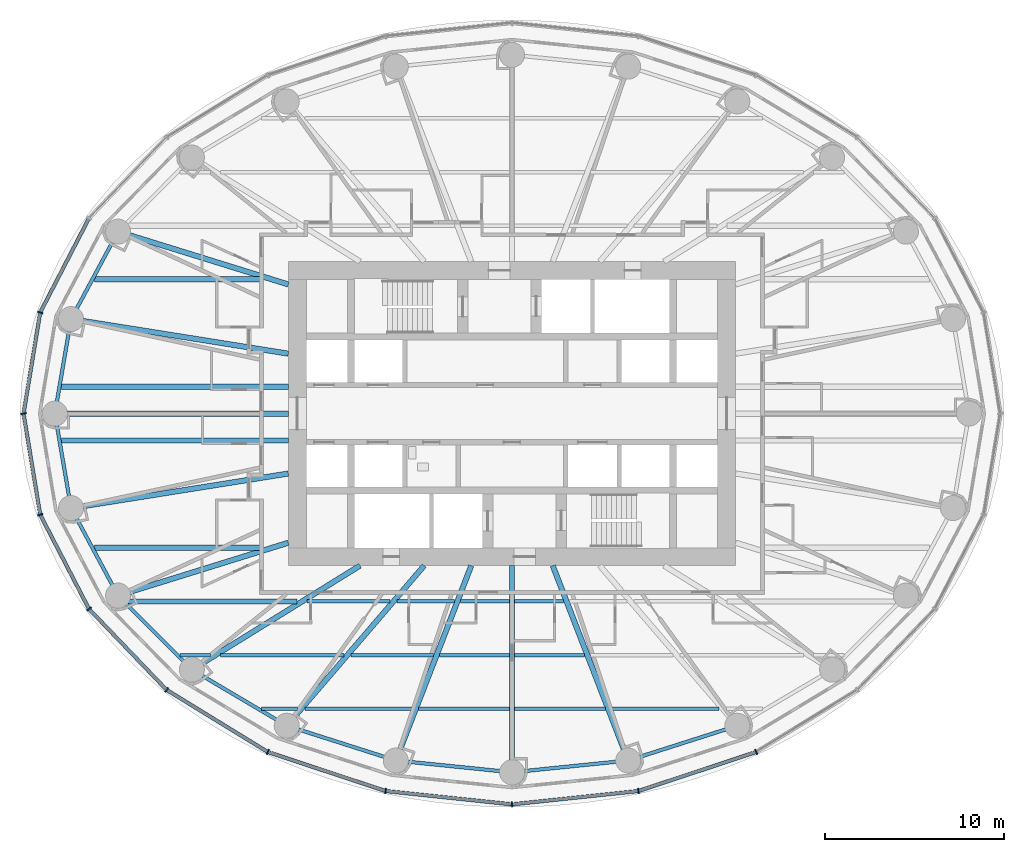
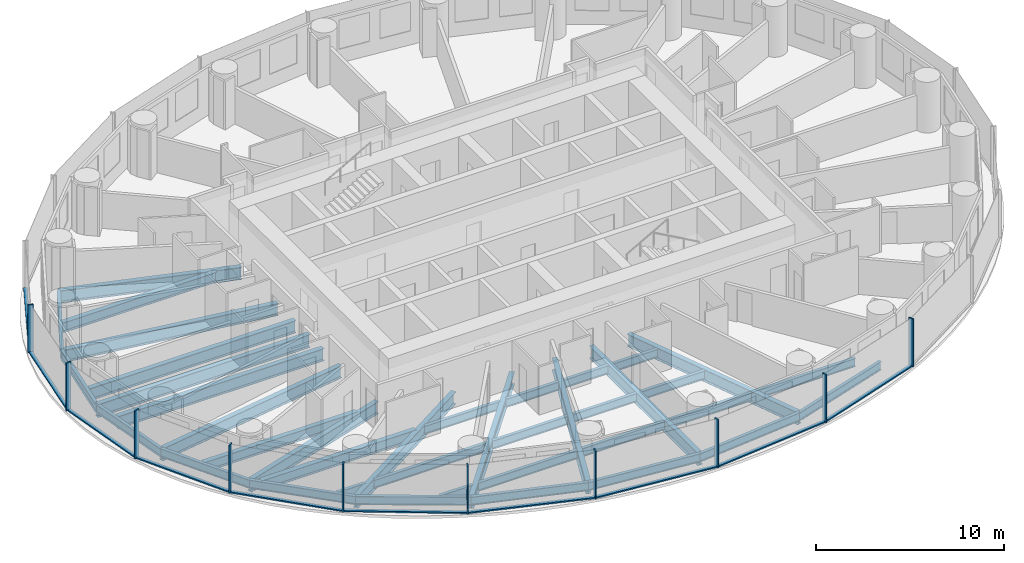
# One storey, part 2 of 16: 39 beams, 20 members, 3 elements without a shape of their own.
"""IFC4 building model written with IfcOpenShell, lengths in metres."""

from ifc_helpers import new_model, si_unit, direction, frame, origin, origin_2d, place, context, subcontext, project, spatial, rectangle, i_section, extrude, material, material_profile, profile_set, type_object, element, aggregate, save


model = new_model("IFC4")

# Units and contexts
model_context = context("Model", 3, precision=1e-05, world=origin(), true_north=direction((0.0, 1.0)))
body_context = subcontext(model_context, "Body", "Model", "MODEL_VIEW")
ifc_project = project(units=[si_unit("LENGTHUNIT", "METRE"), si_unit("AREAUNIT", "SQUARE_METRE"), si_unit("VOLUMEUNIT", "CUBIC_METRE"), si_unit("PLANEANGLEUNIT", "RADIAN"), si_unit("MASSUNIT", "GRAM", prefix="KILO")], contexts=[model_context])

# Site, building, storey
site_placement = place(None, origin())
site = spatial("IfcSite", under=ifc_project, at=site_placement, CompositionType="ELEMENT")
building_placement = place(site_placement, origin())
building = spatial("IfcBuilding", under=site, at=building_placement, Name="Hankou Lantern Tower", CompositionType="ELEMENT")
storey_placement = place(building_placement, frame((0.0, 0.0, 70.5)))
storey = spatial("IfcBuildingStorey", under=building, at=storey_placement, Name="L17", CompositionType="ELEMENT", Elevation=70.5)

# Beams
ifc_material_1 = material(Name="Steel Q355B", Category="steel")
ifc_material_profile_1 = material_profile(ifc_material_1, i_section(OverallWidth=0.199951171875, OverallDepth=0.550048828125, WebThickness=0.010009765625, FlangeThickness=0.01611328125, FilletRadius=0.012939453125, at=origin_2d()), Name="HN550x200x10x16")
ifc_profile_set_1 = profile_set([ifc_material_profile_1], Name="Steel Q355B")
beam_type_1 = type_object("IfcBeamType", Name="EB6 RING BEAM HN550x200x10x16", PredefinedType="SPANDREL", material=ifc_profile_set_1)
beam_1_placement = place(storey_placement, frame((-22.01904296875, 10.170166015625, -0.455078125), z_axis=(-0.473609096023, -0.880735161194, 0.0), x_axis=(0.880735161194, -0.473609096023, 0.0)))
element("IfcBeam", 1, at=beam_1_placement, inside=storey, type_object=beam_type_1, Name="Ring beam R11-R12 L17", PredefinedType="SPANDREL", context=body_context, shape_type="SweptSolid", body=[
    extrude(i_section(OverallWidth=0.199951171875, OverallDepth=0.550048828125, WebThickness=0.010009765625, FlangeThickness=0.01611328125, FilletRadius=0.012939453125, at=origin_2d()), origin(), (0.0, 0.0, 1.0), 5.548828125),
])
for number, where, z_axis, x_axis, name in (
    (2, (-24.64697265625, 5.283203125, -0.455078125), (-0.168489691988, -0.985703415685, 0.0), (0.985703415685, -0.168489691988, 0.0), "Ring beam R12-R13 L17"),
    (3, (-25.550048828125, 0.0, -0.455078125), (0.168489691988, -0.985703415685, 0.0), (0.985703415685, 0.168489691988, 0.0), "Ring beam R13-R14 L17"),
):
    element("IfcBeam", number, at=place(storey_placement, frame(where, z_axis=z_axis, x_axis=x_axis)), inside=storey, type_object=beam_type_1, Name=name, PredefinedType="SPANDREL", context=body_context, shape_type="SweptSolid", body=[
        extrude(i_section(OverallWidth=0.199951171875, OverallDepth=0.550048828125, WebThickness=0.010009765625, FlangeThickness=0.01611328125, FilletRadius=0.012939453125, at=origin_2d()), origin(), (0.0, 0.0, 1.0), 5.35986328125),
    ])
beam_2_placement = place(storey_placement, frame((-24.64697265625, -5.283203125, -0.455078125), z_axis=(0.473609096023, -0.880735161194, 0.0), x_axis=(0.880735161194, 0.473609096023, 0.0)))
element("IfcBeam", 4, at=beam_2_placement, inside=storey, type_object=beam_type_1, Name="Ring beam R14-R15 L17", PredefinedType="SPANDREL", context=body_context, shape_type="SweptSolid", body=[
    extrude(i_section(OverallWidth=0.199951171875, OverallDepth=0.550048828125, WebThickness=0.010009765625, FlangeThickness=0.01611328125, FilletRadius=0.012939453125, at=origin_2d()), origin(), (0.0, 0.0, 1.0), 5.548828125),
])
beam_3_placement = place(storey_placement, frame((-22.01904296875, -10.170166015625, -0.455078125), z_axis=(0.705727798394, -0.708483079949, 0.0), x_axis=(0.708483079949, 0.705727798394, 0.0)))
element("IfcBeam", 5, at=beam_3_placement, inside=storey, type_object=beam_type_1, Name="Ring beam R15-R16 L17", PredefinedType="SPANDREL", context=body_context, shape_type="SweptSolid", body=[
    extrude(i_section(OverallWidth=0.199951171875, OverallDepth=0.550048828125, WebThickness=0.010009765625, FlangeThickness=0.01611328125, FilletRadius=0.012939453125, at=origin_2d()), origin(), (0.0, 0.0, 1.0), 5.84814453125),
])
beam_4_placement = place(storey_placement, frame((-17.891845703125, -14.3134765625, -0.455078125), z_axis=(0.860881533543, -0.508805449268, 0.0), x_axis=(0.508805449268, 0.860881533543, 0.0)))
element("IfcBeam", 6, at=beam_4_placement, inside=storey, type_object=beam_type_1, Name="Ring beam R16-R17 L17", PredefinedType="SPANDREL", context=body_context, shape_type="SweptSolid", body=[
    extrude(i_section(OverallWidth=0.199951171875, OverallDepth=0.550048828125, WebThickness=0.010009765625, FlangeThickness=0.01611328125, FilletRadius=0.012939453125, at=origin_2d()), origin(), (0.0, 0.0, 1.0), 6.15771484375),
])
beam_5_placement = place(storey_placement, frame((-12.5908203125, -17.446533203125, -0.455078125), z_axis=(0.952690479428, -0.303942182671, 0.0), x_axis=(0.303942182671, 0.952690479428, 0.0)))
element("IfcBeam", 7, at=beam_5_placement, inside=storey, type_object=beam_type_1, Name="Ring beam R17-R18 L17", PredefinedType="SPANDREL", context=body_context, shape_type="SweptSolid", body=[
    extrude(i_section(OverallWidth=0.199951171875, OverallDepth=0.550048828125, WebThickness=0.010009765625, FlangeThickness=0.01611328125, FilletRadius=0.012939453125, at=origin_2d()), origin(), (0.0, 0.0, 1.0), 6.398681640625),
])
for number, where, z_axis, x_axis, name in (
    (8, (-6.494873046875, -19.391357421875, -0.455078125), (0.994896616842, -0.100899562915, 0.0), (0.100899562915, 0.994896616842, 0.0), "Ring beam R18-R19 L17"),
    (9, (0.0, -20.050048828125, -0.455078125), (0.994896616842, 0.100899562915, 0.0), (-0.100899562915, 0.994896616842, 0.0), "Ring beam R19-R20 L17"),
):
    element("IfcBeam", number, at=place(storey_placement, frame(where, z_axis=z_axis, x_axis=x_axis)), inside=storey, type_object=beam_type_1, Name=name, PredefinedType="SPANDREL", context=body_context, shape_type="SweptSolid", body=[
        extrude(i_section(OverallWidth=0.199951171875, OverallDepth=0.550048828125, WebThickness=0.010009765625, FlangeThickness=0.01611328125, FilletRadius=0.012939453125, at=origin_2d()), origin(), (0.0, 0.0, 1.0), 6.528076171875),
    ])
beam_6_placement = place(storey_placement, frame((6.494873046875, -19.391357421875, -0.455078125), z_axis=(0.952690479428, 0.303942182671, 0.0), x_axis=(-0.303942182671, 0.952690479428, 0.0)))
element("IfcBeam", 10, at=beam_6_placement, inside=storey, type_object=beam_type_1, Name="Ring beam R20-R21 L17", PredefinedType="SPANDREL", context=body_context, shape_type="SweptSolid", body=[
    extrude(i_section(OverallWidth=0.199951171875, OverallDepth=0.550048828125, WebThickness=0.010009765625, FlangeThickness=0.01611328125, FilletRadius=0.012939453125, at=origin_2d()), origin(), (0.0, 0.0, 1.0), 6.398681640625),
])

# Curtain wall, member
ifc_material_2 = material(Name="Glass, dark grey tinted laminated", Category="glass")
curtain_wall_type = type_object("IfcCurtainWallType", Name="CWA OUTER SKIN LOW-RISE", PredefinedType="USERDEFINED", material=ifc_material_2)
curtain_wall_1_placement = place(storey_placement, origin())
curtain_wall_1 = element("IfcCurtainWall", 11, at=curtain_wall_1_placement, inside=storey, type_object=curtain_wall_type, Name="CWA L17 OS2", ObjectType="OUTER SKIN LOW-RISE", PredefinedType="USERDEFINED")
ifc_material_3 = material(Name="Aluminium, black anodised", Category="aluminium")
ifc_material_profile_2 = material_profile(ifc_material_3, rectangle(XDim=0.080078125, YDim=0.300048828125, at=origin_2d()), Name="MU1 80X300")
ifc_profile_set_2 = profile_set([ifc_material_profile_2], Name="Aluminium, black anodised")
member_type_1 = type_object("IfcMemberType", Name="MU1 OUTER SKIN MULLION 80X300", PredefinedType="MULLION", material=ifc_profile_set_2)
member_1_placement = place(storey_placement, frame((-26.369873046875, 5.652587890625, 0.0), z_axis=(0.0, 0.0, 1.0), x_axis=(-0.317595577365, -0.94822626479, 0.0)))
member_1 = element("IfcMember", 12, at=member_1_placement, type_object=member_type_1, Name="CWA mullion 6", PredefinedType="MULLION", context=body_context, shape_type="SweptSolid", body=[
    extrude(rectangle(XDim=0.080078125, YDim=0.300048828125, at=origin_2d()), origin(), (0.0, 0.0, 1.0), 3.1201171875),
])

# Curtain wall, members
curtain_wall_2_placement = place(storey_placement, origin())
curtain_wall_2 = element("IfcCurtainWall", 13, at=curtain_wall_2_placement, inside=storey, type_object=curtain_wall_type, Name="CWA L17 OS3", ObjectType="OUTER SKIN LOW-RISE", PredefinedType="USERDEFINED")
member_2_placement = place(storey_placement, frame((-27.300048828125, 0.0, 0.0), z_axis=(0.0, 0.0, 1.0), x_axis=(0.162381515188, -0.986728049427, 0.0)))
member_2 = element("IfcMember", 14, at=member_2_placement, type_object=member_type_1, Name="CWA mullion 1", PredefinedType="MULLION", context=body_context, shape_type="SweptSolid", body=[
    extrude(rectangle(XDim=0.080078125, YDim=0.300048828125, at=origin_2d()), origin(), (0.0, 0.0, 1.0), 3.1201171875),
])
member_3_placement = place(storey_placement, frame((-26.369873046875, -5.652587890625, 0.0), z_axis=(0.0, 0.0, 1.0), x_axis=(0.317595577365, -0.94822626479, 0.0)))
member_3 = element("IfcMember", 15, at=member_3_placement, type_object=member_type_1, Name="CWA mullion 2", PredefinedType="MULLION", context=body_context, shape_type="SweptSolid", body=[
    extrude(rectangle(XDim=0.080078125, YDim=0.300048828125, at=origin_2d()), origin(), (0.0, 0.0, 1.0), 3.1201171875),
])
member_4_placement = place(storey_placement, frame((-23.642578125, -10.919921875, 0.0), z_axis=(0.0, 0.0, 1.0), x_axis=(0.585205735974, -0.810884854084, 0.0)))
member_4 = element("IfcMember", 16, at=member_4_placement, type_object=member_type_1, Name="CWA mullion 3", PredefinedType="MULLION", context=body_context, shape_type="SweptSolid", body=[
    extrude(rectangle(XDim=0.080078125, YDim=0.300048828125, at=origin_2d()), origin(), (0.0, 0.0, 1.0), 3.1201171875),
])
member_5_placement = place(storey_placement, frame((-19.303955078125, -15.443115234375, 0.0), z_axis=(0.0, 0.0, 1.0), x_axis=(0.780868809444, -0.624695047553, 0.0)))
member_5 = element("IfcMember", 17, at=member_5_placement, type_object=member_type_1, Name="CWA mullion 4", PredefinedType="MULLION", context=body_context, shape_type="SweptSolid", body=[
    extrude(rectangle(XDim=0.080078125, YDim=0.300048828125, at=origin_2d()), origin(), (0.0, 0.0, 1.0), 3.1201171875),
])
member_6_placement = place(storey_placement, frame((-13.64990234375, -18.9140625, 0.0), z_axis=(0.0, 0.0, 1.0), x_axis=(0.907841299004, -0.419313934686, 0.0)))
member_6 = element("IfcMember", 18, at=member_6_placement, type_object=member_type_1, Name="CWA mullion 5", PredefinedType="MULLION", context=body_context, shape_type="SweptSolid", body=[
    extrude(rectangle(XDim=0.080078125, YDim=0.300048828125, at=origin_2d()), origin(), (0.0, 0.0, 1.0), 3.1201171875),
])
member_7_placement = place(storey_placement, frame((-7.065673828125, -21.095703125, 0.0), z_axis=(0.0, 0.0, 1.0), x_axis=(0.977787659625, -0.209597931016, 0.0)))
member_7 = element("IfcMember", 19, at=member_7_placement, type_object=member_type_1, Name="CWA mullion 6", PredefinedType="MULLION", context=body_context, shape_type="SweptSolid", body=[
    extrude(rectangle(XDim=0.080078125, YDim=0.300048828125, at=origin_2d()), origin(), (0.0, 0.0, 1.0), 3.1201171875),
])

curtain_wall_3_placement = place(storey_placement, origin())
curtain_wall_3 = element("IfcCurtainWall", 20, at=curtain_wall_3_placement, inside=storey, type_object=curtain_wall_type, Name="CWA L17 OS4", ObjectType="OUTER SKIN LOW-RISE", PredefinedType="USERDEFINED")
member_8_placement = place(storey_placement, frame((0.0, -21.840087890625, 0.0), z_axis=(0.0, 0.0, 1.0), x_axis=(0.994499359107, 0.104742659579, 0.0)))
member_8 = element("IfcMember", 21, at=member_8_placement, type_object=member_type_1, Name="CWA mullion 1", PredefinedType="MULLION", context=body_context, shape_type="SweptSolid", body=[
    extrude(rectangle(XDim=0.080078125, YDim=0.300048828125, at=origin_2d()), origin(), (0.0, 0.0, 1.0), 3.1201171875),
])
member_9_placement = place(storey_placement, frame((7.065673828125, -21.095703125, 0.0), z_axis=(0.0, 0.0, 1.0), x_axis=(0.977787659625, 0.209597931016, 0.0)))
member_9 = element("IfcMember", 22, at=member_9_placement, type_object=member_type_1, Name="CWA mullion 2", PredefinedType="MULLION", context=body_context, shape_type="SweptSolid", body=[
    extrude(rectangle(XDim=0.080078125, YDim=0.300048828125, at=origin_2d()), origin(), (0.0, 0.0, 1.0), 3.1201171875),
])
member_10_placement = place(storey_placement, frame((13.64990234375, -18.9140625, 0.0), z_axis=(0.0, 0.0, 1.0), x_axis=(0.907841299004, 0.419313934686, 0.0)))
member_10 = element("IfcMember", 23, at=member_10_placement, type_object=member_type_1, Name="CWA mullion 3", PredefinedType="MULLION", context=body_context, shape_type="SweptSolid", body=[
    extrude(rectangle(XDim=0.080078125, YDim=0.300048828125, at=origin_2d()), origin(), (0.0, 0.0, 1.0), 3.1201171875),
])

# Beams
ifc_material_4 = material(Name="Steel Q355B", Category="steel")
ifc_material_profile_3 = material_profile(ifc_material_4, i_section(OverallWidth=0.300048828125, OverallDepth=0.800048828125, WebThickness=0.013916015625, FlangeThickness=0.02587890625, FilletRadius=0.01806640625, at=origin_2d()), Name="HN800x300x14x26")
ifc_profile_set_3 = profile_set([ifc_material_profile_3], Name="Steel Q355B")
beam_type_2 = type_object("IfcBeamType", Name="RB11 RADIAL BEAM HN800x300x14x26", PredefinedType="BEAM", material=ifc_profile_set_3)
beam_7_placement = place(storey_placement, frame((-12.5, 7.216796875, -0.580078125), z_axis=(-0.955087327755, 0.29632447817, 0.0), x_axis=(-0.29632447817, -0.955087327755, 0.0)))
element("IfcBeam", 24, at=beam_7_placement, inside=storey, type_object=beam_type_2, Name="Radial beam R11 L17", PredefinedType="BEAM", context=body_context, shape_type="SweptSolid", body=[
    extrude(i_section(OverallWidth=0.300048828125, OverallDepth=0.800048828125, WebThickness=0.013916015625, FlangeThickness=0.02587890625, FilletRadius=0.01806640625, at=origin_2d()), origin(), (0.0, 0.0, 1.0), 9.966552734375),
])
for number, where, z_axis, x_axis, name in (
    (25, (-12.5, 3.349365234375, -0.580078125), (-0.987563081343, 0.157223281893, 0.0), (-0.157223281893, -0.987563081343, 0.0), "Radial beam R12 L17"),
    (26, (-12.5, -3.349365234375, -0.580078125), (-0.987563081343, -0.157223281893, 0.0), (0.157223281893, -0.987563081343, 0.0), "Radial beam R14 L17"),
):
    element("IfcBeam", number, at=place(storey_placement, frame(where, z_axis=z_axis, x_axis=x_axis)), inside=storey, type_object=beam_type_2, Name=name, PredefinedType="BEAM", context=body_context, shape_type="SweptSolid", body=[
        extrude(i_section(OverallWidth=0.300048828125, OverallDepth=0.800048828125, WebThickness=0.013916015625, FlangeThickness=0.02587890625, FilletRadius=0.01806640625, at=origin_2d()), origin(), (0.0, 0.0, 1.0), 12.300048828125),
    ])
beam_8_placement = place(storey_placement, frame((-12.5, -7.216796875, -0.580078125), z_axis=(-0.955087327755, -0.29632447817, 0.0), x_axis=(0.29632447817, -0.955087327755, 0.0)))
element("IfcBeam", 27, at=beam_8_placement, inside=storey, type_object=beam_type_2, Name="Radial beam R15 L17", PredefinedType="BEAM", context=body_context, shape_type="SweptSolid", body=[
    extrude(i_section(OverallWidth=0.300048828125, OverallDepth=0.800048828125, WebThickness=0.013916015625, FlangeThickness=0.02587890625, FilletRadius=0.01806640625, at=origin_2d()), origin(), (0.0, 0.0, 1.0), 9.966552734375),
])
beam_9_placement = place(storey_placement, frame((-8.5, -8.5, -0.580078125), z_axis=(-0.850286343288, -0.526320372414, 0.0), x_axis=(0.526320372414, -0.850286343288, 0.0)))
element("IfcBeam", 28, at=beam_9_placement, inside=storey, type_object=beam_type_2, Name="Radial beam R16 L17", PredefinedType="BEAM", context=body_context, shape_type="SweptSolid", body=[
    extrude(i_section(OverallWidth=0.300048828125, OverallDepth=0.800048828125, WebThickness=0.013916015625, FlangeThickness=0.02587890625, FilletRadius=0.01806640625, at=origin_2d()), origin(), (0.0, 0.0, 1.0), 11.04541015625),
])
beam_10_placement = place(storey_placement, frame((-4.907470703125, -8.5, -0.580078125), z_axis=(-0.651519061225, -0.758632264579, 0.0), x_axis=(0.758632264579, -0.651519061225, 0.0)))
element("IfcBeam", 29, at=beam_10_placement, inside=storey, type_object=beam_type_2, Name="Radial beam R17 L17", PredefinedType="BEAM", context=body_context, shape_type="SweptSolid", body=[
    extrude(i_section(OverallWidth=0.300048828125, OverallDepth=0.800048828125, WebThickness=0.013916015625, FlangeThickness=0.02587890625, FilletRadius=0.01806640625, at=origin_2d()), origin(), (0.0, 0.0, 1.0), 11.79296875),
])
beam_11_placement = place(storey_placement, frame((-2.277587890625, -8.5, -0.580078125), z_axis=(-0.361089103374, -0.932531318201, 0.0), x_axis=(0.932531318201, -0.361089103374, 0.0)))
element("IfcBeam", 30, at=beam_11_placement, inside=storey, type_object=beam_type_2, Name="Radial beam R18 L17", PredefinedType="BEAM", context=body_context, shape_type="SweptSolid", body=[
    extrude(i_section(OverallWidth=0.300048828125, OverallDepth=0.800048828125, WebThickness=0.013916015625, FlangeThickness=0.02587890625, FilletRadius=0.01806640625, at=origin_2d()), origin(), (0.0, 0.0, 1.0), 11.679443359375),
])
beam_12_placement = place(storey_placement, frame((0.0, -8.5, -0.580078125), z_axis=(0.0, -1.0, 0.0), x_axis=(1.0, 0.0, 0.0)))
element("IfcBeam", 31, at=beam_12_placement, inside=storey, type_object=beam_type_2, Name="Radial beam R19 L17", PredefinedType="BEAM", context=body_context, shape_type="SweptSolid", body=[
    extrude(i_section(OverallWidth=0.300048828125, OverallDepth=0.800048828125, WebThickness=0.013916015625, FlangeThickness=0.02587890625, FilletRadius=0.01806640625, at=origin_2d()), origin(), (0.0, 0.0, 1.0), 11.550048828125),
])
beam_13_placement = place(storey_placement, frame((2.277587890625, -8.5, -0.580078125), z_axis=(0.361089103374, -0.932531318201, 0.0), x_axis=(0.932531318201, 0.361089103374, 0.0)))
element("IfcBeam", 32, at=beam_13_placement, inside=storey, type_object=beam_type_2, Name="Radial beam R20 L17", PredefinedType="BEAM", context=body_context, shape_type="SweptSolid", body=[
    extrude(i_section(OverallWidth=0.300048828125, OverallDepth=0.800048828125, WebThickness=0.013916015625, FlangeThickness=0.02587890625, FilletRadius=0.01806640625, at=origin_2d()), origin(), (0.0, 0.0, 1.0), 11.679443359375),
])
ifc_material_5 = material(Name="Steel Q355B", Category="steel")
ifc_material_profile_4 = material_profile(ifc_material_5, i_section(OverallWidth=0.300048828125, OverallDepth=0.85009765625, WebThickness=0.01611328125, FlangeThickness=0.027099609375, FilletRadius=0.01806640625, at=origin_2d()), Name="HN850x300x16x27")
ifc_profile_set_4 = profile_set([ifc_material_profile_4], Name="Steel Q355B")
beam_type_3 = type_object("IfcBeamType", Name="RB12 RADIAL BEAM HN850x300x16x27", PredefinedType="BEAM", material=ifc_profile_set_4)
beam_14_placement = place(storey_placement, frame((-12.5, 0.0, -0.60498046875), z_axis=(-1.0, 0.0, 0.0), x_axis=(0.0, -1.0, 0.0)))
element("IfcBeam", 33, at=beam_14_placement, inside=storey, type_object=beam_type_3, Name="Radial beam R13 L17", PredefinedType="BEAM", context=body_context, shape_type="SweptSolid", body=[
    extrude(i_section(OverallWidth=0.300048828125, OverallDepth=0.85009765625, WebThickness=0.01611328125, FlangeThickness=0.027099609375, FilletRadius=0.01806640625, at=origin_2d()), origin(), (0.0, 0.0, 1.0), 13.050048828125),
])
ifc_material_6 = material(Name="Steel Q355B", Category="steel")
ifc_material_profile_5 = material_profile(ifc_material_6, i_section(OverallWidth=0.300048828125, OverallDepth=0.800048828125, WebThickness=0.013916015625, FlangeThickness=0.02587890625, FilletRadius=0.01806640625, at=origin_2d()), Name="HN800x300x14x26")
ifc_profile_set_5 = profile_set([ifc_material_profile_5], Name="Steel Q355B")
beam_type_4 = type_object("IfcBeamType", Name="SB11 SECONDARY BEAM HN800x300x14x26", PredefinedType="JOIST", material=ifc_profile_set_5)
for number, where, z_axis, x_axis, name in (
    (34, (-25.192138671875, -1.5, -0.580078125), (1.0, 0.0, 0.0), (0.0, 1.0, 0.0), "Floor joist J029 L17"),
    (35, (-25.192138671875, 1.5, -0.580078125), (1.0, 0.0, 0.0), (0.0, 1.0, 0.0), "Floor joist J031 L17"),
):
    element("IfcBeam", number, at=place(storey_placement, frame(where, z_axis=z_axis, x_axis=x_axis)), inside=storey, type_object=beam_type_4, Name=name, PredefinedType="JOIST", context=body_context, shape_type="SweptSolid", body=[
        extrude(i_section(OverallWidth=0.300048828125, OverallDepth=0.800048828125, WebThickness=0.013916015625, FlangeThickness=0.02587890625, FilletRadius=0.01806640625, at=origin_2d()), origin(), (0.0, 0.0, 1.0), 12.692138671875),
    ])
ifc_material_7 = material(Name="Steel Q355B", Category="steel")
ifc_material_profile_6 = material_profile(ifc_material_7, i_section(OverallWidth=0.199951171875, OverallDepth=0.550048828125, WebThickness=0.010009765625, FlangeThickness=0.01611328125, FilletRadius=0.012939453125, at=origin_2d()), Name="HN550x200x10x16")
ifc_profile_set_6 = profile_set([ifc_material_profile_6], Name="Steel Q355B")
beam_type_5 = type_object("IfcBeamType", Name="SB6 SECONDARY BEAM HN550x200x10x16", PredefinedType="JOIST", material=ifc_profile_set_6)
beam_15_placement = place(storey_placement, frame((-13.99560546875, -16.5, -0.455078125), z_axis=(1.0, 0.0, 0.0), x_axis=(0.0, 1.0, 0.0)))
element("IfcBeam", 36, at=beam_15_placement, inside=storey, type_object=beam_type_5, Name="Floor joist J001 L17", PredefinedType="JOIST", context=body_context, shape_type="SweptSolid", body=[
    extrude(i_section(OverallWidth=0.199951171875, OverallDepth=0.550048828125, WebThickness=0.010009765625, FlangeThickness=0.01611328125, FilletRadius=0.012939453125, at=origin_2d()), origin(), (0.0, 0.0, 1.0), 2.019775390625),
])
beam_16_placement = place(storey_placement, frame((-11.580322265625, -16.5, -0.455078125), z_axis=(1.0, 0.0, 0.0), x_axis=(0.0, 1.0, 0.0)))
element("IfcBeam", 37, at=beam_16_placement, inside=storey, type_object=beam_type_5, Name="Floor joist J002 L17", PredefinedType="JOIST", context=body_context, shape_type="SweptSolid", body=[
    extrude(i_section(OverallWidth=0.199951171875, OverallDepth=0.550048828125, WebThickness=0.010009765625, FlangeThickness=0.01611328125, FilletRadius=0.012939453125, at=origin_2d()), origin(), (0.0, 0.0, 1.0), 6.044189453125),
])
for number, where, z_axis, x_axis, name in (
    (38, (-5.21435546875, -16.5, -0.455078125), (1.0, 0.0, 0.0), (0.0, 1.0, 0.0), "Floor joist J003 L17"),
    (39, (0.14990234375, -16.5, -0.455078125), (1.0, 0.0, 0.0), (0.0, 1.0, 0.0), "Floor joist J004 L17"),
):
    element("IfcBeam", number, at=place(storey_placement, frame(where, z_axis=z_axis, x_axis=x_axis)), inside=storey, type_object=beam_type_5, Name=name, PredefinedType="JOIST", context=body_context, shape_type="SweptSolid", body=[
        extrude(i_section(OverallWidth=0.199951171875, OverallDepth=0.550048828125, WebThickness=0.010009765625, FlangeThickness=0.01611328125, FilletRadius=0.012939453125, at=origin_2d()), origin(), (0.0, 0.0, 1.0), 5.064453125),
    ])
beam_17_placement = place(storey_placement, frame((5.5361328125, -16.5, -0.455078125), z_axis=(1.0, 0.0, 0.0), x_axis=(0.0, 1.0, 0.0)))
element("IfcBeam", 40, at=beam_17_placement, inside=storey, type_object=beam_type_5, Name="Floor joist J005 L17", PredefinedType="JOIST", context=body_context, shape_type="SweptSolid", body=[
    extrude(i_section(OverallWidth=0.199951171875, OverallDepth=0.550048828125, WebThickness=0.010009765625, FlangeThickness=0.01611328125, FilletRadius=0.012939453125, at=origin_2d()), origin(), (0.0, 0.0, 1.0), 6.044189453125),
])
beam_18_placement = place(storey_placement, frame((-18.560791015625, -13.5, -0.455078125), z_axis=(1.0, 0.0, 0.0), x_axis=(0.0, 1.0, 0.0)))
element("IfcBeam", 41, at=beam_18_placement, inside=storey, type_object=beam_type_5, Name="Floor joist J007 L17", PredefinedType="JOIST", context=body_context, shape_type="SweptSolid", body=[
    extrude(i_section(OverallWidth=0.199951171875, OverallDepth=0.550048828125, WebThickness=0.010009765625, FlangeThickness=0.01611328125, FilletRadius=0.012939453125, at=origin_2d()), origin(), (0.0, 0.0, 1.0), 1.697998046875),
])
beam_19_placement = place(storey_placement, frame((-16.292724609375, -13.5, -0.455078125), z_axis=(1.0, 0.0, 0.0), x_axis=(0.0, 1.0, 0.0)))
element("IfcBeam", 42, at=beam_19_placement, inside=storey, type_object=beam_type_5, Name="Floor joist J008 L17", PredefinedType="JOIST", context=body_context, shape_type="SweptSolid", body=[
    extrude(i_section(OverallWidth=0.199951171875, OverallDepth=0.550048828125, WebThickness=0.010009765625, FlangeThickness=0.01611328125, FilletRadius=0.012939453125, at=origin_2d()), origin(), (0.0, 0.0, 1.0), 6.893310546875),
])
beam_20_placement = place(storey_placement, frame((-9.00390625, -13.5, -0.455078125), z_axis=(1.0, 0.0, 0.0), x_axis=(0.0, 1.0, 0.0)))
element("IfcBeam", 43, at=beam_20_placement, inside=storey, type_object=beam_type_5, Name="Floor joist J009 L17", PredefinedType="JOIST", context=body_context, shape_type="SweptSolid", body=[
    extrude(i_section(OverallWidth=0.199951171875, OverallDepth=0.550048828125, WebThickness=0.010009765625, FlangeThickness=0.01611328125, FilletRadius=0.012939453125, at=origin_2d()), origin(), (0.0, 0.0, 1.0), 4.62939453125),
])
for number, where, z_axis, x_axis, name in (
    (44, (-4.052734375, -13.5, -0.455078125), (1.0, 0.0, 0.0), (0.0, 1.0, 0.0), "Floor joist J010 L17"),
    (45, (0.14990234375, -13.5, -0.455078125), (1.0, 0.0, 0.0), (0.0, 1.0, 0.0), "Floor joist J011 L17"),
):
    element("IfcBeam", number, at=place(storey_placement, frame(where, z_axis=z_axis, x_axis=x_axis)), inside=storey, type_object=beam_type_5, Name=name, PredefinedType="JOIST", context=body_context, shape_type="SweptSolid", body=[
        extrude(i_section(OverallWidth=0.199951171875, OverallDepth=0.550048828125, WebThickness=0.010009765625, FlangeThickness=0.01611328125, FilletRadius=0.012939453125, at=origin_2d()), origin(), (0.0, 0.0, 1.0), 3.90283203125),
    ])
beam_21_placement = place(storey_placement, frame((-11.446044921875, -10.5, -0.455078125), z_axis=(1.0, 0.0, 0.0), x_axis=(0.0, 1.0, 0.0)))
element("IfcBeam", 46, at=beam_21_placement, inside=storey, type_object=beam_type_5, Name="Floor joist J016 L17", PredefinedType="JOIST", context=body_context, shape_type="SweptSolid", body=[
    extrude(i_section(OverallWidth=0.199951171875, OverallDepth=0.550048828125, WebThickness=0.010009765625, FlangeThickness=0.01611328125, FilletRadius=0.012939453125, at=origin_2d()), origin(), (0.0, 0.0, 1.0), 4.623291015625),
])
beam_22_placement = place(storey_placement, frame((-6.427490234375, -10.5, -0.455078125), z_axis=(1.0, 0.0, 0.0), x_axis=(0.0, 1.0, 0.0)))
element("IfcBeam", 47, at=beam_22_placement, inside=storey, type_object=beam_type_5, Name="Floor joist J017 L17", PredefinedType="JOIST", context=body_context, shape_type="SweptSolid", body=[
    extrude(i_section(OverallWidth=0.199951171875, OverallDepth=0.550048828125, WebThickness=0.010009765625, FlangeThickness=0.01611328125, FilletRadius=0.012939453125, at=origin_2d()), origin(), (0.0, 0.0, 1.0), 3.214599609375),
])
for number, where, z_axis, x_axis, name in (
    (48, (-2.89111328125, -10.5, -0.455078125), (1.0, 0.0, 0.0), (0.0, 1.0, 0.0), "Floor joist J018 L17"),
    (49, (0.14990234375, -10.5, -0.455078125), (1.0, 0.0, 0.0), (0.0, 1.0, 0.0), "Floor joist J019 L17"),
):
    element("IfcBeam", number, at=place(storey_placement, frame(where, z_axis=z_axis, x_axis=x_axis)), inside=storey, type_object=beam_type_5, Name=name, PredefinedType="JOIST", context=body_context, shape_type="SweptSolid", body=[
        extrude(i_section(OverallWidth=0.199951171875, OverallDepth=0.550048828125, WebThickness=0.010009765625, FlangeThickness=0.01611328125, FilletRadius=0.012939453125, at=origin_2d()), origin(), (0.0, 0.0, 1.0), 2.7412109375),
    ])
ifc_material_8 = material(Name="Steel Q355B", Category="steel")
ifc_material_profile_7 = material_profile(ifc_material_8, i_section(OverallWidth=0.300048828125, OverallDepth=0.64990234375, WebThickness=0.010986328125, FlangeThickness=0.01708984375, FilletRadius=0.01806640625, at=origin_2d()), Name="HN650x300x11x17")
ifc_profile_set_7 = profile_set([ifc_material_profile_7], Name="Steel Q355B")
beam_type_6 = type_object("IfcBeamType", Name="SB8 SECONDARY BEAM HN650x300x11x17", PredefinedType="JOIST", material=ifc_profile_set_7)
beam_23_placement = place(storey_placement, frame((-21.54931640625, -10.5, -0.5048828125), z_axis=(1.0, 0.0, 0.0), x_axis=(0.0, 1.0, 0.0)))
element("IfcBeam", 50, at=beam_23_placement, inside=storey, type_object=beam_type_6, Name="Floor joist J015 L17", PredefinedType="JOIST", context=body_context, shape_type="SweptSolid", body=[
    extrude(i_section(OverallWidth=0.300048828125, OverallDepth=0.64990234375, WebThickness=0.010986328125, FlangeThickness=0.01708984375, FilletRadius=0.01806640625, at=origin_2d()), origin(), (0.0, 0.0, 1.0), 9.533203125),
])
for number, where, z_axis, x_axis, name in (
    (51, (-23.341552734375, -7.5, -0.5048828125), (1.0, 0.0, 0.0), (0.0, 1.0, 0.0), "Floor joist J023 L17"),
    (52, (-23.341552734375, 7.5, -0.5048828125), (1.0, 0.0, 0.0), (0.0, 1.0, 0.0), "Floor joist J037 L17"),
):
    element("IfcBeam", number, at=place(storey_placement, frame(where, z_axis=z_axis, x_axis=x_axis)), inside=storey, type_object=beam_type_6, Name=name, PredefinedType="JOIST", context=body_context, shape_type="SweptSolid", body=[
        extrude(i_section(OverallWidth=0.300048828125, OverallDepth=0.64990234375, WebThickness=0.010986328125, FlangeThickness=0.01708984375, FilletRadius=0.01806640625, at=origin_2d()), origin(), (0.0, 0.0, 1.0), 9.4228515625),
    ])

# Member
ifc_material_9 = material(Name="Aluminium, black anodised", Category="aluminium")
ifc_material_profile_8 = material_profile(ifc_material_9, rectangle(XDim=0.199951171875, YDim=0.080078125, at=origin_2d()), Name="TR1 200X80")
ifc_profile_set_8 = profile_set([ifc_material_profile_8], Name="Aluminium, black anodised")
member_type_2 = type_object("IfcMemberType", Name="TR1 OUTER SKIN TRANSOM 200X80", PredefinedType="USERDEFINED", material=ifc_profile_set_8)
member_11_placement = place(storey_placement, frame((-23.660888671875, 10.884521484375, 0.0400390625), z_axis=(-0.459786096495, -0.888029698529, 0.0), x_axis=(0.888029698529, -0.459786096495, 0.0)))
member_11 = element("IfcMember", 53, at=member_11_placement, type_object=member_type_2, Name="CWA transom 5", ObjectType="TRANSOM", PredefinedType="USERDEFINED", context=body_context, shape_type="SweptSolid", body=[
    extrude(rectangle(XDim=0.199951171875, YDim=0.080078125, at=origin_2d()), origin(), (0.0, 0.0, 1.0), 5.8515625),
])

member_12_placement = place(storey_placement, frame((-26.376220703125, 5.613037109375, 0.0400390625), z_axis=(-0.162387045529, -0.986727139307, 0.0), x_axis=(0.986727139307, -0.162387045529, 0.0)))
member_12 = element("IfcMember", 54, at=member_12_placement, type_object=member_type_2, Name="CWA transom 6", ObjectType="TRANSOM", PredefinedType="USERDEFINED", context=body_context, shape_type="SweptSolid", body=[
    extrude(rectangle(XDim=0.199951171875, YDim=0.080078125, at=origin_2d()), origin(), (0.0, 0.0, 1.0), 5.6484375),
])

aggregate(curtain_wall_1, [member_1, member_11, member_12])

member_13_placement = place(storey_placement, frame((-27.29345703125, -0.03955078125, 0.0400390625), z_axis=(0.162387045529, -0.986727139307, 0.0), x_axis=(0.986727139307, 0.162387045529, 0.0)))
member_13 = element("IfcMember", 55, at=member_13_placement, type_object=member_type_2, Name="CWA transom 1", ObjectType="TRANSOM", PredefinedType="USERDEFINED", context=body_context, shape_type="SweptSolid", body=[
    extrude(rectangle(XDim=0.199951171875, YDim=0.080078125, at=origin_2d()), origin(), (0.0, 0.0, 1.0), 5.6484375),
])

member_14_placement = place(storey_placement, frame((-26.351318359375, -5.688232421875, 0.0400390625), z_axis=(0.459786096495, -0.888029698529, 0.0), x_axis=(0.888029698529, 0.459786096495, 0.0)))
member_14 = element("IfcMember", 56, at=member_14_placement, type_object=member_type_2, Name="CWA transom 2", ObjectType="TRANSOM", PredefinedType="USERDEFINED", context=body_context, shape_type="SweptSolid", body=[
    extrude(rectangle(XDim=0.199951171875, YDim=0.080078125, at=origin_2d()), origin(), (0.0, 0.0, 1.0), 5.8515625),
])

member_15_placement = place(storey_placement, frame((-23.61474609375, -10.948974609375, 0.0400390625), z_axis=(0.692215537374, -0.721690827029, 0.0), x_axis=(0.721690827029, 0.692215537374, 0.0)))
member_15 = element("IfcMember", 57, at=member_15_placement, type_object=member_type_2, Name="CWA transom 3", ObjectType="TRANSOM", PredefinedType="USERDEFINED", context=body_context, shape_type="SweptSolid", body=[
    extrude(rectangle(XDim=0.199951171875, YDim=0.080078125, at=origin_2d()), origin(), (0.0, 0.0, 1.0), 6.187255859375),
])

member_16_placement = place(storey_placement, frame((-19.27001953125, -15.464111328125, 0.0400390625), z_axis=(0.85223969557, -0.523151508929, 0.0), x_axis=(0.523151508929, 0.85223969557, 0.0)))
member_16 = element("IfcMember", 58, at=member_16_placement, type_object=member_type_2, Name="CWA transom 4", ObjectType="TRANSOM", PredefinedType="USERDEFINED", context=body_context, shape_type="SweptSolid", body=[
    extrude(rectangle(XDim=0.199951171875, YDim=0.080078125, at=origin_2d()), origin(), (0.0, 0.0, 1.0), 6.554443359375),
])

member_17_placement = place(storey_placement, frame((-13.612060546875, -18.926513671875, 0.0400390625), z_axis=(0.949237318771, -0.314560825044, 0.0), x_axis=(0.314560825044, 0.949237318771, 0.0)))
member_17 = element("IfcMember", 59, at=member_17_placement, type_object=member_type_2, Name="CWA transom 5", ObjectType="TRANSOM", PredefinedType="USERDEFINED", context=body_context, shape_type="SweptSolid", body=[
    extrude(rectangle(XDim=0.199951171875, YDim=0.080078125, at=origin_2d()), origin(), (0.0, 0.0, 1.0), 6.8564453125),
])

member_18_placement = place(storey_placement, frame((-7.02587890625, -21.10009765625, 0.0400390625), z_axis=(0.994502215033, -0.104715539888, 0.0), x_axis=(0.104715539888, 0.994502215033, 0.0)))
member_18 = element("IfcMember", 60, at=member_18_placement, type_object=member_type_2, Name="CWA transom 6", ObjectType="TRANSOM", PredefinedType="USERDEFINED", context=body_context, shape_type="SweptSolid", body=[
    extrude(rectangle(XDim=0.199951171875, YDim=0.080078125, at=origin_2d()), origin(), (0.0, 0.0, 1.0), 7.024658203125),
])

aggregate(curtain_wall_2, [member_2, member_3, member_4, member_5, member_6, member_7, member_13, member_14, member_15, member_16, member_17, member_18])

member_19_placement = place(storey_placement, frame((0.039794921875, -21.835693359375, 0.0400390625), z_axis=(0.994502215033, 0.104715539888, 0.0), x_axis=(-0.104715539888, 0.994502215033, 0.0)))
member_19 = element("IfcMember", 61, at=member_19_placement, type_object=member_type_2, Name="CWA transom 1", ObjectType="TRANSOM", PredefinedType="USERDEFINED", context=body_context, shape_type="SweptSolid", body=[
    extrude(rectangle(XDim=0.199951171875, YDim=0.080078125, at=origin_2d()), origin(), (0.0, 0.0, 1.0), 7.024658203125),
])

member_20_placement = place(storey_placement, frame((7.103759765625, -21.083251953125, 0.0400390625), z_axis=(0.949237318771, 0.314560825044, 0.0), x_axis=(-0.314560825044, 0.949237318771, 0.0)))
member_20 = element("IfcMember", 62, at=member_20_placement, type_object=member_type_2, Name="CWA transom 2", ObjectType="TRANSOM", PredefinedType="USERDEFINED", context=body_context, shape_type="SweptSolid", body=[
    extrude(rectangle(XDim=0.199951171875, YDim=0.080078125, at=origin_2d()), origin(), (0.0, 0.0, 1.0), 6.8564453125),
])

aggregate(curtain_wall_3, [member_8, member_9, member_10, member_19, member_20])

save(model, "model.ifc")
